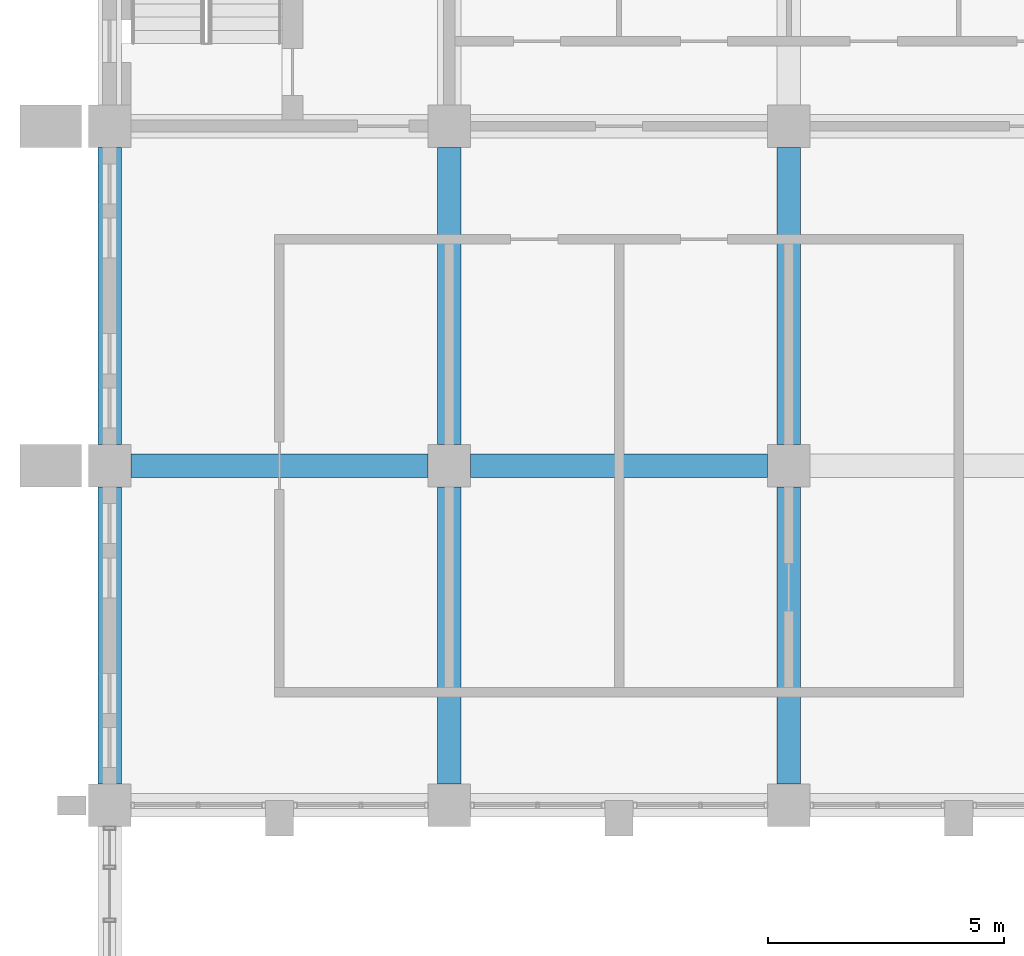
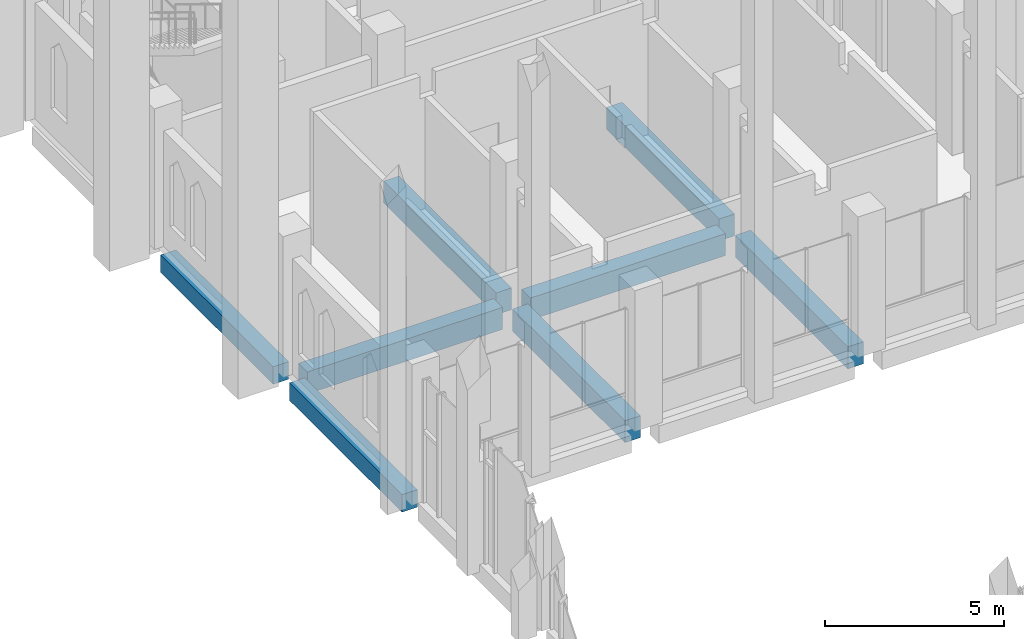
# One storey, part 9 of 40: 8 beams.
"""IFC4 building model written with IfcOpenShell, lengths in metres."""

import ifcopenshell
import ifcopenshell.guid

model = None  # the IFC model being written
_history = None  # IfcOwnerHistory: only IFC2X3 demands one
_inside = {}  # id of a spatial element -> (the spatial element, [elements in it])
_under = {}  # id of a project, library or spatial element -> (it, [spatial elements below it])
_declared = {}  # id of a project -> (the project, [libraries it declares])
_typed = {}  # id of a type object -> (the type object, [elements of that type])
_made_of = {}  # id of a material, layer set ... -> (it, [elements and type objects made of it])


def new_model(schema):
    """Start an empty IFC model of exactly this schema.

    Asked for "IFC4X3", IfcOpenShell would pick the latest addendum, in which some entities
    have other attributes; the version numbers below select the first issue.
    IFC2X3 requires an IfcOwnerHistory on every rooted entity: one is made here for all.
    """
    global model, _history
    if schema == "IFC4X3":
        model = ifcopenshell.file(schema_version=(4, 3, 0, 0))
    else:
        model = ifcopenshell.file(schema=schema)
    _inside.clear()
    _under.clear()
    _declared.clear()
    _typed.clear()
    _made_of.clear()
    _history = None
    if model.schema == "IFC2X3":
        org = make("IfcOrganization", Name="unknown")
        user = make(
            "IfcPersonAndOrganization",
            ThePerson=make("IfcPerson", FamilyName="unknown"),
            TheOrganization=org,
        )
        app = make(
            "IfcApplication",
            ApplicationDeveloper=org,
            Version="unknown",
            ApplicationFullName="unknown",
            ApplicationIdentifier="unknown",
        )
        _history = make(
            "IfcOwnerHistory",
            OwningUser=user,
            OwningApplication=app,
            ChangeAction="ADDED",
            CreationDate=0,
        )
    return model


def make(cls, **values):
    """One entity of the class cls with the attributes given. An attribute that is None is left unset."""
    return model.create_entity(
        cls, **{name: value for name, value in values.items() if value is not None}
    )


def rooted(cls, **values):
    """An entity with a GlobalId (a new one), such as an element, a storey or a relation."""
    return make(cls, GlobalId=ifcopenshell.guid.new(), OwnerHistory=_history, **values)


def si_unit(unit_type, name, prefix=None):
    """IfcSIUnit, for example si_unit("LENGTHUNIT", "METRE", prefix="MILLI")."""
    return make("IfcSIUnit", UnitType=unit_type, Prefix=prefix, Name=name)


def assignment(units):
    """IfcUnitAssignment: the units of a project."""
    return None if units is None else make("IfcUnitAssignment", Units=units)


def point(xyz):
    """IfcCartesianPoint."""
    return None if xyz is None else make("IfcCartesianPoint", Coordinates=xyz)


def direction(xyz):
    """IfcDirection."""
    return None if xyz is None else make("IfcDirection", DirectionRatios=xyz)


def frame(location, z_axis=None, x_axis=None):
    """IfcAxis2Placement3D, a coordinate frame: its origin and axes. An axis left out is left unset."""
    return make(
        "IfcAxis2Placement3D",
        Location=point(location),
        Axis=direction(z_axis),
        RefDirection=direction(x_axis),
    )


def frame_2d(location, x_axis=None):
    """IfcAxis2Placement2D, a coordinate frame in the plane: its origin and x axis."""
    return make(
        "IfcAxis2Placement2D", Location=point(location), RefDirection=direction(x_axis)
    )


def origin():
    """The frame at (0, 0, 0) with its axes left unset."""
    return frame((0.0, 0.0, 0.0))


def origin_2d():
    """The frame at (0, 0) in the plane with its x axis left unset."""
    return frame_2d((0.0, 0.0))


def place(relative_to, where):
    """IfcLocalPlacement: puts the frame where relative to a parent placement (None: the world)."""
    return make(
        "IfcLocalPlacement", PlacementRelTo=relative_to, RelativePlacement=where
    )


def context(
    kind, dimensions, precision=None, world=None, true_north=None, identifier=None
):
    """IfcGeometricRepresentationContext, for example the 3D "Model" context."""
    return make(
        "IfcGeometricRepresentationContext",
        ContextIdentifier=identifier,
        ContextType=kind,
        CoordinateSpaceDimension=dimensions,
        Precision=precision,
        WorldCoordinateSystem=world,
        TrueNorth=true_north,
    )


def subcontext(parent, identifier, kind, view, scale=None):
    """IfcGeometricRepresentationSubContext, for example "Body" below "Model"."""
    return make(
        "IfcGeometricRepresentationSubContext",
        ContextIdentifier=identifier,
        ContextType=kind,
        ParentContext=parent,
        TargetScale=scale,
        TargetView=view,
    )


def project(units=None, contexts=None):
    """IfcProject with its units and contexts."""
    return rooted(
        "IfcProject",
        Name="project",
        RepresentationContexts=contexts,
        UnitsInContext=assignment(units),
    )


def spatial(cls, under=None, at=None, **own):
    """A site, building, storey or space (cls), placed at a placement, below another one or the project."""
    s = rooted(cls, ObjectPlacement=at, **own)
    if under is not None:
        _under.setdefault(under.id(), (under, []))[1].append(s)
    return s


def profile(cls, at=None, kind="AREA", **sizes):
    """A parametric profile (cls). Its sizes go by their IFC names, for example OverallWidth=200.0."""
    return make(cls, ProfileType=kind, Position=at, **sizes)


def rectangle(**sizes):
    """IfcRectangleProfileDef."""
    return profile("IfcRectangleProfileDef", **sizes)


def extrude(swept, where, along, depth):
    """IfcExtrudedAreaSolid: the profile swept, set in the frame where, extruded along a direction by depth."""
    return make(
        "IfcExtrudedAreaSolid",
        SweptArea=swept,
        Position=where,
        ExtrudedDirection=direction(along),
        Depth=depth,
    )


def shape(context_of_items, identifier, shape_type, items):
    """IfcShapeRepresentation: the items that make up one representation, for example the "Body"."""
    return make(
        "IfcShapeRepresentation",
        ContextOfItems=context_of_items,
        RepresentationIdentifier=identifier,
        RepresentationType=shape_type,
        Items=items,
    )


def material(Name=None, Category=None):
    """IfcMaterial."""
    return make("IfcMaterial", Name=Name, Category=Category)


def material_profile(
    of_material, cross_section, Name=None, Category=None, Priority=None
):
    """IfcMaterialProfile: a cross section and its material."""
    return make(
        "IfcMaterialProfile",
        Name=Name,
        Material=of_material,
        Profile=cross_section,
        Priority=Priority,
        Category=Category,
    )


def profile_set(profiles, Name=None, composite=None):
    """IfcMaterialProfileSet."""
    return make(
        "IfcMaterialProfileSet",
        Name=Name,
        MaterialProfiles=profiles,
        CompositeProfile=composite,
    )


def made_of(thing, what):
    """Note that an element or type object is made of a material, layer set ...; save() writes the relation."""
    if what is not None:
        _made_of.setdefault(what.id(), (what, []))[1].append(thing)
    return thing


def type_object(cls, material=None, **own):
    """A type object (cls), such as IfcWallType, which elements share."""
    return made_of(rooted(cls, **own), material)


def element(
    cls,
    number,
    at=None,
    inside=None,
    cuts=None,
    type_object=None,
    material=None,
    context=None,
    identifier="Body",
    shape_type=None,
    held_by="IfcProductDefinitionShape",
    body=None,
    shapes=None,
    **own,
):
    """One element of the class cls, such as IfcWall. Its Tag is "e" and its number.

    at: its placement. inside: the storey or other place that contains it. cuts: it is an
    opening in that element (IfcRelVoidsElement). A single representation is given by context,
    identifier, shape_type and body (its items); several are given by shapes. held_by: the class
    of the entity that holds the representations. save() writes the other relations.
    """
    e = rooted(cls, Tag="e%d" % number, ObjectPlacement=at, **own)
    if body is not None:
        shapes = [shape(context, identifier, shape_type, body)]
    if shapes is not None:
        e.Representation = make(held_by, Representations=shapes)
    if inside is not None:
        _inside.setdefault(inside.id(), (inside, []))[1].append(e)
    if cuts is not None:
        rooted(
            "IfcRelVoidsElement", RelatingBuildingElement=cuts, RelatedOpeningElement=e
        )
    if type_object is not None:
        _typed.setdefault(type_object.id(), (type_object, []))[1].append(e)
    return made_of(e, material)


def aggregate(whole, parts):
    """IfcRelAggregates: a whole, such as a stair, and the parts it consists of."""
    return rooted("IfcRelAggregates", RelatingObject=whole, RelatedObjects=parts)


def save(model, path):
    """Write the relations noted so far, then the file.

    IfcRelAggregates (storeys below a building ...), IfcRelContainedInSpatialStructure (elements
    in a storey), IfcRelDefinesByType, IfcRelAssociatesMaterial and IfcRelDeclares: one each for
    every whole, place, type object, material and project.
    """
    for whole, parts in _under.values():
        aggregate(whole, parts)
    for where, things in _inside.values():
        rooted(
            "IfcRelContainedInSpatialStructure",
            RelatedElements=things,
            RelatingStructure=where,
        )
    for kind, things in _typed.values():
        rooted("IfcRelDefinesByType", RelatedObjects=things, RelatingType=kind)
    for what, things in _made_of.values():
        rooted("IfcRelAssociatesMaterial", RelatedObjects=things, RelatingMaterial=what)
    for by, libraries in _declared.values():
        rooted("IfcRelDeclares", RelatingContext=by, RelatedDefinitions=libraries)
    model.write(path)


model = new_model("IFC4")

# Units and contexts
model_context = context("Model", 3, precision=1e-05, world=origin(), true_north=direction((0.0, 1.0)))
body_context = subcontext(model_context, "Body", "Model", "MODEL_VIEW")
ifc_project = project(units=[si_unit("LENGTHUNIT", "METRE"), si_unit("AREAUNIT", "SQUARE_METRE"), si_unit("VOLUMEUNIT", "CUBIC_METRE"), si_unit("PLANEANGLEUNIT", "RADIAN"), si_unit("MASSUNIT", "GRAM", prefix="KILO")], contexts=[model_context])

# Site, building, storey
site_placement = place(None, origin())
site = spatial("IfcSite", under=ifc_project, at=site_placement, CompositionType="ELEMENT")
building_placement = place(site_placement, origin())
building = spatial("IfcBuilding", under=site, at=building_placement, Name="Silangan Lancet Faculty of Sciences", CompositionType="ELEMENT")
storey_placement = place(building_placement, frame((0.0, 0.0, 21.60009765625)))
storey = spatial("IfcBuildingStorey", under=building, at=storey_placement, Name="L04", CompositionType="ELEMENT", Elevation=21.60009765625)

# Beams
ifc_material_1 = material(Name="Concrete C40/50", Category="concrete")
ifc_material_profile_1 = material_profile(ifc_material_1, rectangle(XDim=0.5, YDim=0.60009765625, at=origin_2d()), Name="RC 500x600")
ifc_profile_set_1 = profile_set([ifc_material_profile_1], Name="Concrete C40/50")
beam_type_1 = type_object("IfcBeamType", Name="BEAM RC 500x600", PredefinedType="BEAM", material=ifc_profile_set_1)
for number, where, z_axis, x_axis, name in (
    (1, (0.0, 36.449951171875, -0.550048828125), (0.0, 1.0, 0.0), (-1.0, 0.0, 0.0), "BM-L04-1F-1G"),
    (2, (0.0, 43.64990234375, -0.550048828125), (0.0, 1.0, 0.0), (-1.0, 0.0, 0.0), "BM-L04-1G-1H"),
):
    element("IfcBeam", number, at=place(storey_placement, frame(where, z_axis=z_axis, x_axis=x_axis)), inside=storey, type_object=beam_type_1, Name=name, PredefinedType="BEAM", context=body_context, shape_type="SweptSolid", body=[
        extrude(rectangle(XDim=0.5, YDim=0.60009765625, at=origin_2d()), origin(), (0.0, 0.0, 1.0), 6.300048828125),
    ])
ifc_material_2 = material(Name="Concrete C40/50", Category="concrete")
ifc_material_profile_2 = material_profile(ifc_material_2, rectangle(XDim=0.5, YDim=0.75, at=origin_2d()), Name="RC 500x750")
ifc_profile_set_2 = profile_set([ifc_material_profile_2], Name="Concrete C40/50")
beam_type_2 = type_object("IfcBeamType", Name="BEAM RC 500x750", PredefinedType="BEAM", material=ifc_profile_set_2)
for number, where, z_axis, x_axis, name in (
    (3, (0.449951171875, 43.199951171875, -0.625), (1.0, 0.0, 0.0), (0.0, 1.0, 0.0), "BM-L04-1G-2G"),
    (4, (7.64990234375, 43.199951171875, -0.625), (1.0, 0.0, 0.0), (0.0, 1.0, 0.0), "BM-L04-2G-3G"),
    (5, (7.199951171875, 36.449951171875, -0.625), (0.0, 1.0, 0.0), (-1.0, 0.0, 0.0), "BM-L04-2F-2G"),
    (6, (7.199951171875, 43.64990234375, -0.625), (0.0, 1.0, 0.0), (-1.0, 0.0, 0.0), "BM-L04-2G-2H"),
    (7, (14.39990234375, 36.449951171875, -0.625), (0.0, 1.0, 0.0), (-1.0, 0.0, 0.0), "BM-L04-3F-3G"),
    (8, (14.39990234375, 43.64990234375, -0.625), (0.0, 1.0, 0.0), (-1.0, 0.0, 0.0), "BM-L04-3G-3H"),
):
    element("IfcBeam", number, at=place(storey_placement, frame(where, z_axis=z_axis, x_axis=x_axis)), inside=storey, type_object=beam_type_2, Name=name, PredefinedType="BEAM", context=body_context, shape_type="SweptSolid", body=[
        extrude(rectangle(XDim=0.5, YDim=0.75, at=origin_2d()), origin(), (0.0, 0.0, 1.0), 6.300048828125),
    ])

save(model, "model.ifc")
